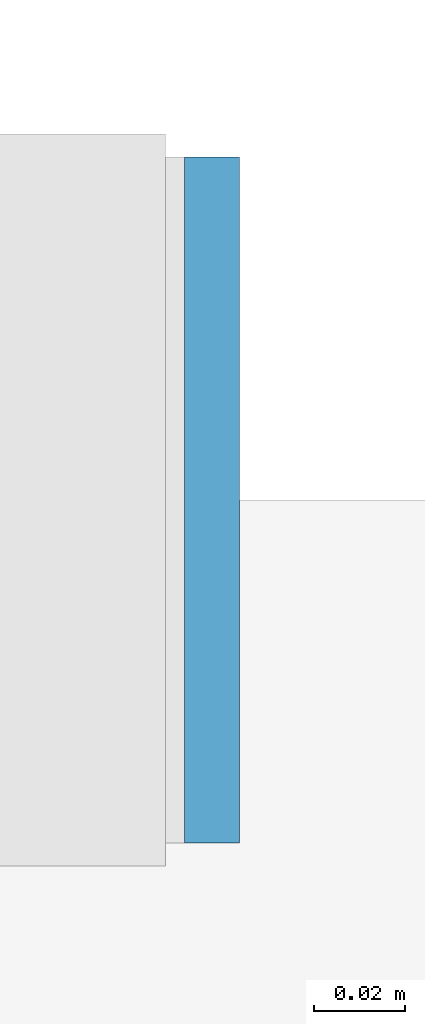
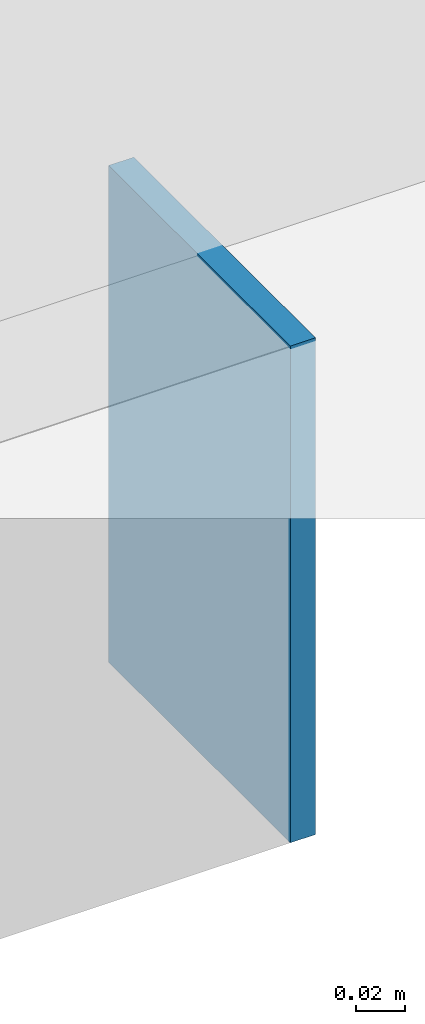
# One storey, part 74 of 111: 1 discrete accessory.
"""IFC4 building model written with IfcOpenShell, lengths in metres."""

from ifc_helpers import new_model, si_unit, direction, frame, origin, place, context, subcontext, project, spatial, polyline, outline, extrude, material, layer, layer_set, type_object, element, save


model = new_model("IFC4")

# Units and contexts
model_context = context("Model", 3, precision=1e-05, world=origin(), true_north=direction((0.0, 1.0)))
body_context = subcontext(model_context, "Body", "Model", "MODEL_VIEW")
ifc_project = project(units=[si_unit("LENGTHUNIT", "METRE"), si_unit("AREAUNIT", "SQUARE_METRE"), si_unit("VOLUMEUNIT", "CUBIC_METRE"), si_unit("PLANEANGLEUNIT", "RADIAN"), si_unit("MASSUNIT", "GRAM", prefix="KILO")], contexts=[model_context])

# Site, building, storey
site_placement = place(None, origin())
site = spatial("IfcSite", under=ifc_project, at=site_placement, CompositionType="ELEMENT")
building_placement = place(site_placement, origin())
building = spatial("IfcBuilding", under=site, at=building_placement, Name="Kisiwana Market Hall", CompositionType="ELEMENT")
storey_placement = place(building_placement, frame((0.0, 0.0, 11.39990234375)))
storey = spatial("IfcBuildingStorey", under=building, at=storey_placement, Name="L02", CompositionType="ELEMENT", Elevation=11.39990234375)

# Discrete accessory
ifc_material = material(Name="Steel S355", Category="steel")
ifc_layer = layer(ifc_material, 0.011962890625)
ifc_layer_set = layer_set([ifc_layer], Name="ACC-ENDCAP-STL")
discrete_accessory_type = type_object("IfcDiscreteAccessoryType", Name="ACC-ENDCAP-STL", PredefinedType="USERDEFINED", material=ifc_layer_set)
discrete_accessory_placement = place(storey_placement, frame((0.0, 0.0, -0.5)))
element("IfcDiscreteAccessory", 1, at=discrete_accessory_placement, inside=storey, type_object=discrete_accessory_type, Name="End cap plate EC-0021", ObjectType="End cap plate", PredefinedType="USERDEFINED", context=body_context, shape_type="SweptSolid", body=[
    extrude(outline(polyline([(116.798095703125, 35.925048828125), (116.81005859375, 35.925048828125), (116.81005859375, 36.074951171875), (116.798095703125, 36.074951171875), (116.798095703125, 35.925048828125)])), origin(), (0.0, 0.0, 1.0), 0.25),
])

save(model, "model.ifc")
